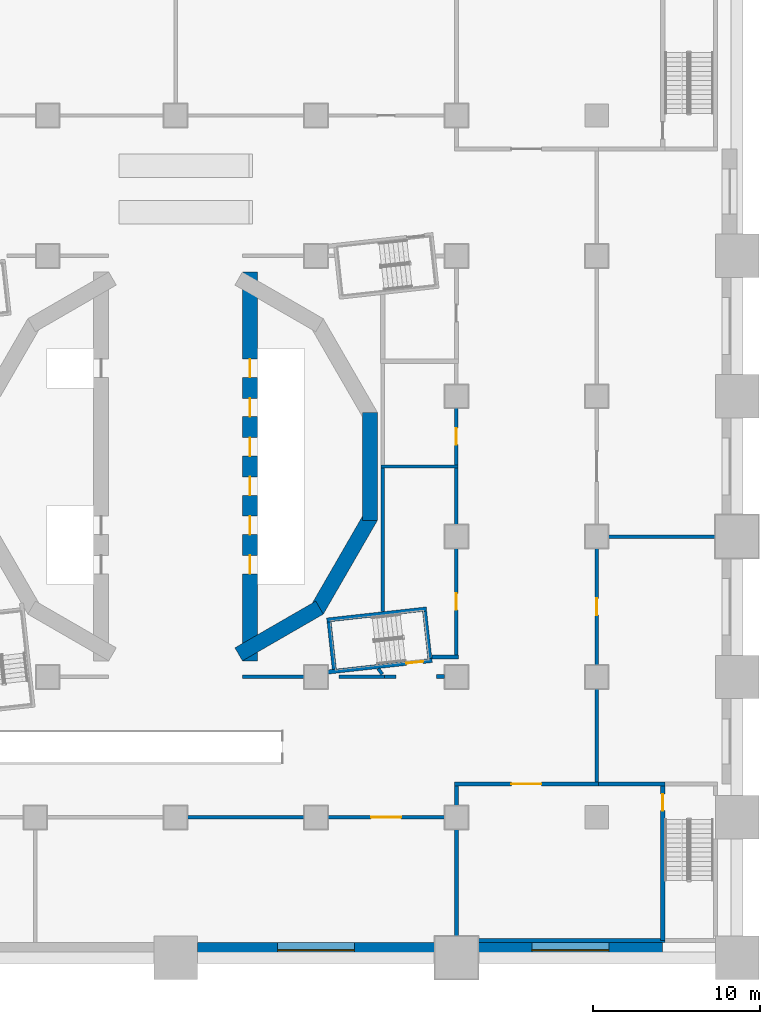
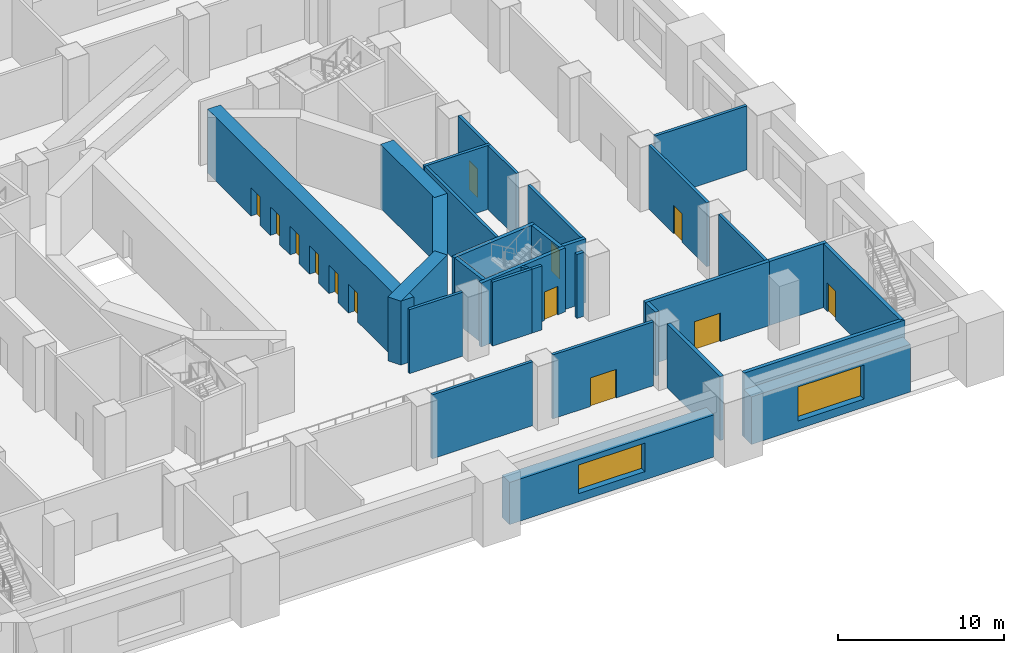
# One storey, part 3 of 19: 32 walls, 13 doors, 2 windows, 15 openings.
"""IFC4 building model written with IfcOpenShell, lengths in metres."""

from ifc_helpers import new_model, si_unit, direction, frame, frame_2d, origin, place, context, subcontext, project, spatial, rectangle, extrude, material, layer, layer_set, type_object, element, fill, save


model = new_model("IFC4")

# Units and contexts
model_context = context("Model", 3, precision=1e-05, world=origin(), true_north=direction((0.0, 1.0)))
body_context = subcontext(model_context, "Body", "Model", "MODEL_VIEW")
ifc_project = project(units=[si_unit("LENGTHUNIT", "METRE"), si_unit("AREAUNIT", "SQUARE_METRE"), si_unit("VOLUMEUNIT", "CUBIC_METRE"), si_unit("PLANEANGLEUNIT", "RADIAN"), si_unit("MASSUNIT", "GRAM", prefix="KILO")], contexts=[model_context])

# Site, building, storey
site_placement = place(None, origin())
site = spatial("IfcSite", under=ifc_project, at=site_placement, CompositionType="ELEMENT")
building_placement = place(site_placement, origin())
building = spatial("IfcBuilding", under=site, at=building_placement, Name="Cantera Rosa Tower", CompositionType="ELEMENT")
storey_placement = place(building_placement, frame((0.0, 0.0, 12.0)))
storey = spatial("IfcBuildingStorey", under=building, at=storey_placement, Name="L01", CompositionType="ELEMENT", Elevation=12.0)

# Walls
ifc_material_1 = material(Name="Masonry blockwork", Category="masonry")
ifc_layer_1 = layer(ifc_material_1, 0.199951171875)
ifc_layer_set_1 = layer_set([ifc_layer_1], Name="Blockwork partition 200")
wall_type_1 = type_object("IfcWallType", Name="Blockwork partition 200", PredefinedType="PARTITIONING", material=ifc_layer_set_1)
wall_1_placement = place(storey_placement, frame((4.0, -12.57666015625, 0.0), z_axis=(0.0, 0.0, 1.0), x_axis=(1.0, 0.0, 0.0)))
element("IfcWall", 1, at=wall_1_placement, inside=storey, type_object=wall_type_1, Name="Partition L01-3", PredefinedType="PARTITIONING", context=body_context, shape_type="SweptSolid", body=[
    extrude(rectangle(XDim=3.699951171875, YDim=0.199951171875, at=frame_2d((1.85009765625, 0.0))), origin(), (0.0, 0.0, 1.0), 4.699951171875),
])
wall_2_placement = place(storey_placement, frame((9.768798828125, -12.57666015625, 0.0), z_axis=(0.0, 0.0, 1.0), x_axis=(1.0, 0.0, 0.0)))
element("IfcWall", 2, at=wall_2_placement, inside=storey, type_object=wall_type_1, Name="Partition L01-4", PredefinedType="PARTITIONING", context=body_context, shape_type="SweptSolid", body=[
    extrude(rectangle(XDim=2.731201171875, YDim=0.199951171875, at=frame_2d((1.36572265625, 0.0))), origin(), (0.0, 0.0, 1.0), 4.699951171875),
])
wall_3_placement = place(storey_placement, frame((12.5, -12.57666015625, 0.0), z_axis=(0.0, 0.0, 1.0), x_axis=(1.0, 0.0, 0.0)))
element("IfcWall", 3, at=wall_3_placement, inside=storey, type_object=wall_type_1, Name="Partition L01-5", PredefinedType="PARTITIONING", context=body_context, shape_type="SweptSolid", body=[
    extrude(rectangle(XDim=0.69873046875, YDim=0.199951171875, at=frame_2d((0.349365234375, 0.0))), origin(), (0.0, 0.0, 1.0), 4.699951171875),
])
wall_4_placement = place(storey_placement, frame((12.36474609375, -12.427978515625, 0.0), z_axis=(0.0, 0.0, 1.0), x_axis=(-0.586657106045, 0.809835440029, 0.0)))
element("IfcWall", 4, at=wall_4_placement, inside=storey, type_object=wall_type_1, Name="Partition L01-17", PredefinedType="PARTITIONING", context=body_context, shape_type="SweptSolid", body=[
    extrude(rectangle(XDim=0.412353515625, YDim=0.199951171875, at=frame_2d((0.2060546875, 0.0))), origin(), (0.0, 0.0, 1.0), 4.699951171875),
])
wall_5_placement = place(storey_placement, frame((12.39990234375, -8.6923828125, 0.0), z_axis=(0.0, 0.0, 1.0), x_axis=(0.0, 1.0, 0.0)))
element("IfcWall", 5, at=wall_5_placement, inside=storey, type_object=wall_type_1, Name="Partition L01-18", PredefinedType="PARTITIONING", context=body_context, shape_type="SweptSolid", body=[
    extrude(rectangle(XDim=8.59228515625, YDim=0.199951171875, at=frame_2d((4.296142578125, 0.0))), origin(), (0.0, 0.0, 1.0), 4.699951171875),
])
wall_6_placement = place(storey_placement, frame((12.300048828125, 0.0, 0.0), z_axis=(0.0, 0.0, 1.0), x_axis=(1.0, 0.0, 0.0)))
element("IfcWall", 6, at=wall_6_placement, inside=storey, type_object=wall_type_1, Name="Partition L01-21", PredefinedType="PARTITIONING", context=body_context, shape_type="SweptSolid", body=[
    extrude(rectangle(XDim=4.599853515625, YDim=0.199951171875, at=frame_2d((2.2998046875, 0.0))), origin(), (0.0, 0.0, 1.0), 4.699951171875),
])

# Wall, opening, door
wall_7_placement = place(storey_placement, frame((16.800048828125, -11.27490234375, 0.0), z_axis=(0.0, 0.0, 1.0), x_axis=(0.0, 1.0, 0.0)))
wall_7 = element("IfcWall", 7, at=wall_7_placement, inside=storey, type_object=wall_type_1, Name="Partition L01-24", PredefinedType="PARTITIONING", context=body_context, shape_type="SweptSolid", body=[
    extrude(rectangle(XDim=6.375, YDim=0.199951171875, at=frame_2d((3.1875, 0.0))), origin(), (0.0, 0.0, 1.0), 4.699951171875),
])
opening_1_placement = place(wall_7_placement, frame((2.6875, 0.0, 0.0)))
opening_1 = element("IfcOpeningElement", 8, at=opening_1_placement, cuts=wall_7, Name="Opening L01-009", PredefinedType="OPENING", context=body_context, shape_type="SweptSolid", body=[
    extrude(rectangle(XDim=1.0, YDim=2.10009765625, at=frame_2d((0.5, 1.050048828125))), frame((0.0, 0.10986328125, 0.0), z_axis=(0.0, -1.0, 0.0), x_axis=(1.0, 0.0, 0.0)), (0.0, 0.0, 1.0), 0.219970703125),
])
ifc_material_2 = material(Name="Timber", Category="wood")
door_type_1 = type_object("IfcDoorType", Name="Door 1000x2100", OperationType="NOTDEFINED", PredefinedType="DOOR", material=ifc_material_2)
door_1_placement = place(opening_1_placement, origin())
door_1 = element("IfcDoor", 9, at=door_1_placement, inside=storey, type_object=door_type_1, Name="Door L01-009", OverallHeight=2.10009765625, OverallWidth=1.0, PredefinedType="DOOR", context=body_context, shape_type="SweptSolid", body=[
    extrude(rectangle(XDim=1.0, YDim=2.10009765625, at=frame_2d((0.5, 1.050048828125))), frame((0.0, 0.02490234375, 0.0), z_axis=(0.0, -1.0, 0.0), x_axis=(1.0, 0.0, 0.0)), (0.0, 0.0, 1.0), 0.050048828125),
])
fill(opening_1, door_1)

# Wall
wall_8_placement = place(storey_placement, frame((16.800048828125, -3.5, 0.0), z_axis=(0.0, 0.0, 1.0), x_axis=(0.0, 1.0, 0.0)))
element("IfcWall", 10, at=wall_8_placement, inside=storey, type_object=wall_type_1, Name="Partition L01-25", PredefinedType="PARTITIONING", context=body_context, shape_type="SweptSolid", body=[
    extrude(rectangle(XDim=3.39990234375, YDim=0.199951171875, at=frame_2d((1.699951171875, 0.0))), origin(), (0.0, 0.0, 1.0), 4.699951171875),
])

# Wall, opening, door
wall_9_placement = place(storey_placement, frame((16.800048828125, 0.10009765625, 0.0), z_axis=(0.0, 0.0, 1.0), x_axis=(0.0, 1.0, 0.0)))
wall_9 = element("IfcWall", 11, at=wall_9_placement, inside=storey, type_object=wall_type_1, Name="Partition L01-26", PredefinedType="PARTITIONING", context=body_context, shape_type="SweptSolid", body=[
    extrude(rectangle(XDim=3.39990234375, YDim=0.199951171875, at=frame_2d((1.699951171875, 0.0))), origin(), (0.0, 0.0, 1.0), 4.699951171875),
])
opening_2_placement = place(wall_9_placement, frame((1.199951171875, 0.0, 0.0)))
opening_2 = element("IfcOpeningElement", 12, at=opening_2_placement, cuts=wall_9, Name="Opening L01-010", PredefinedType="OPENING", context=body_context, shape_type="SweptSolid", body=[
    extrude(rectangle(XDim=1.0, YDim=2.10009765625, at=frame_2d((0.5, 1.050048828125))), frame((0.0, 0.10986328125, 0.0), z_axis=(0.0, -1.0, 0.0), x_axis=(1.0, 0.0, 0.0)), (0.0, 0.0, 1.0), 0.219970703125),
])
door_2_placement = place(opening_2_placement, origin())
door_2 = element("IfcDoor", 13, at=door_2_placement, inside=storey, type_object=door_type_1, Name="Door L01-010", OverallHeight=2.10009765625, OverallWidth=1.0, PredefinedType="DOOR", context=body_context, shape_type="SweptSolid", body=[
    extrude(rectangle(XDim=1.0, YDim=2.10009765625, at=frame_2d((0.5, 1.050048828125))), frame((0.0, 0.02490234375, 0.0), z_axis=(0.0, -1.0, 0.0), x_axis=(1.0, 0.0, 0.0)), (0.0, 0.0, 1.0), 0.050048828125),
])
fill(opening_2, door_2)

# Wall
wall_10_placement = place(storey_placement, frame((0.699951171875, -21.0, 0.0), z_axis=(0.0, 0.0, 1.0), x_axis=(1.0, 0.0, 0.0)))
element("IfcWall", 14, at=wall_10_placement, inside=storey, type_object=wall_type_1, Name="Partition L01-83", PredefinedType="PARTITIONING", context=body_context, shape_type="SweptSolid", body=[
    extrude(rectangle(XDim=7.0, YDim=0.199951171875, at=frame_2d((3.5, 0.0))), origin(), (0.0, 0.0, 1.0), 4.699951171875),
])

# Wall, opening, door
wall_11_placement = place(storey_placement, frame((9.10009765625, -21.0, 0.0), z_axis=(0.0, 0.0, 1.0), x_axis=(1.0, 0.0, 0.0)))
wall_11 = element("IfcWall", 15, at=wall_11_placement, inside=storey, type_object=wall_type_1, Name="Partition L01-84", PredefinedType="PARTITIONING", context=body_context, shape_type="SweptSolid", body=[
    extrude(rectangle(XDim=7.0, YDim=0.199951171875, at=frame_2d((3.5, 0.0))), origin(), (0.0, 0.0, 1.0), 4.699951171875),
])
opening_3_placement = place(wall_11_placement, frame((2.60009765625, 0.0, 0.0)))
opening_3 = element("IfcOpeningElement", 16, at=opening_3_placement, cuts=wall_11, Name="Opening L01-004", PredefinedType="OPENING", context=body_context, shape_type="SweptSolid", body=[
    extrude(rectangle(XDim=1.800048828125, YDim=2.10009765625, at=frame_2d((0.89990234375, 1.050048828125))), frame((0.0, 0.10986328125, 0.0), z_axis=(0.0, -1.0, 0.0), x_axis=(1.0, 0.0, 0.0)), (0.0, 0.0, 1.0), 0.219970703125),
])
ifc_material_3 = material(Name="Timber", Category="wood")
door_type_2 = type_object("IfcDoorType", Name="Double door 1800x2100", OperationType="NOTDEFINED", PredefinedType="DOOR", material=ifc_material_3)
door_3_placement = place(opening_3_placement, origin())
door_3 = element("IfcDoor", 17, at=door_3_placement, inside=storey, type_object=door_type_2, Name="Door L01-004", OperationType="DOUBLE_DOOR_SINGLE_SWING", OverallHeight=2.10009765625, OverallWidth=1.800048828125, PredefinedType="DOOR", context=body_context, shape_type="SweptSolid", body=[
    extrude(rectangle(XDim=1.800048828125, YDim=2.10009765625, at=frame_2d((0.89990234375, 1.050048828125))), frame((0.0, 0.02490234375, 0.0), z_axis=(0.0, -1.0, 0.0), x_axis=(1.0, 0.0, 0.0)), (0.0, 0.0, 1.0), 0.050048828125),
])
fill(opening_3, door_3)

# Walls
wall_12_placement = place(storey_placement, frame((25.89990234375, -4.199951171875, 0.0), z_axis=(0.0, 0.0, 1.0), x_axis=(1.0, 0.0, 0.0)))
element("IfcWall", 18, at=wall_12_placement, inside=storey, type_object=wall_type_1, Name="Partition L01-85", PredefinedType="PARTITIONING", context=body_context, shape_type="SweptSolid", body=[
    extrude(rectangle(XDim=6.400146484375, YDim=0.199951171875, at=frame_2d((3.2001953125, 0.0))), origin(), (0.0, 0.0, 1.0), 4.699951171875),
])
wall_13_placement = place(storey_placement, frame((25.199951171875, -18.875, 0.0), z_axis=(0.0, 0.0, 1.0), x_axis=(0.0, 1.0, 0.0)))
element("IfcWall", 19, at=wall_13_placement, inside=storey, type_object=wall_type_1, Name="Partition L01-86", PredefinedType="PARTITIONING", context=body_context, shape_type="SweptSolid", body=[
    extrude(rectangle(XDim=5.574951171875, YDim=0.199951171875, at=frame_2d((2.78759765625, 0.0))), origin(), (0.0, 0.0, 1.0), 4.699951171875),
])

# Wall, opening, door
wall_14_placement = place(storey_placement, frame((25.199951171875, -11.89990234375, 0.0), z_axis=(0.0, 0.0, 1.0), x_axis=(0.0, 1.0, 0.0)))
wall_14 = element("IfcWall", 20, at=wall_14_placement, inside=storey, type_object=wall_type_1, Name="Partition L01-87", PredefinedType="PARTITIONING", context=body_context, shape_type="SweptSolid", body=[
    extrude(rectangle(XDim=7.0, YDim=0.199951171875, at=frame_2d((3.5, 0.0))), origin(), (0.0, 0.0, 1.0), 4.699951171875),
])
opening_4_placement = place(wall_14_placement, frame((3.0, 0.0, 0.0)))
opening_4 = element("IfcOpeningElement", 21, at=opening_4_placement, cuts=wall_14, Name="Opening L01-005", PredefinedType="OPENING", context=body_context, shape_type="SweptSolid", body=[
    extrude(rectangle(XDim=1.0, YDim=2.10009765625, at=frame_2d((0.5, 1.050048828125))), frame((0.0, 0.10986328125, 0.0), z_axis=(0.0, -1.0, 0.0), x_axis=(1.0, 0.0, 0.0)), (0.0, 0.0, 1.0), 0.219970703125),
])
door_4_placement = place(opening_4_placement, origin())
door_4 = element("IfcDoor", 22, at=door_4_placement, inside=storey, type_object=door_type_1, Name="Door L01-005", OverallHeight=2.10009765625, OverallWidth=1.0, PredefinedType="DOOR", context=body_context, shape_type="SweptSolid", body=[
    extrude(rectangle(XDim=1.0, YDim=2.10009765625, at=frame_2d((0.5, 1.050048828125))), frame((0.0, 0.02490234375, 0.0), z_axis=(0.0, -1.0, 0.0), x_axis=(1.0, 0.0, 0.0)), (0.0, 0.0, 1.0), 0.050048828125),
])
fill(opening_4, door_4)

# Walls
ifc_material_4 = material(Name="Concrete C70/85", Category="concrete")
ifc_layer_2 = layer(ifc_material_4, 0.89990234375)
ifc_layer_set_2 = layer_set([ifc_layer_2], Name="Drum wall 900")
wall_type_2 = type_object("IfcWallType", Name="Drum wall 900", PredefinedType="SHEAR", material=ifc_layer_set_2)
wall_15_placement = place(storey_placement, frame((11.6240234375, 3.2353515625, 0.0), z_axis=(0.0, 0.0, 1.0), x_axis=(0.0, -1.0, 0.0)))
element("IfcWall", 23, at=wall_15_placement, inside=storey, type_object=wall_type_2, Name="Drum wall east 3 L01", PredefinedType="SHEAR", context=body_context, shape_type="SweptSolid", body=[
    extrude(rectangle(XDim=6.470703125, YDim=0.89990234375, at=frame_2d((3.2353515625, 0.0))), origin(), (0.0, 0.0, 1.0), 4.699951171875),
])
wall_16_placement = place(storey_placement, frame((11.684326171875, -3.01025390625, 0.0), z_axis=(0.0, 0.0, 1.0), x_axis=(-0.499990282633, -0.866031014036, 0.0)))
element("IfcWall", 24, at=wall_16_placement, inside=storey, type_object=wall_type_2, Name="Drum wall east 4 L01", PredefinedType="SHEAR", context=body_context, shape_type="SweptSolid", body=[
    extrude(rectangle(XDim=6.470458984375, YDim=0.89990234375, at=frame_2d((3.2353515625, 0.0))), origin(), (0.0, 0.0, 1.0), 4.699951171875),
])
wall_17_placement = place(storey_placement, frame((8.61376953125, -8.44921875, 0.0), z_axis=(0.0, 0.0, 1.0), x_axis=(-0.866026961591, -0.49999730179, 0.0)))
element("IfcWall", 25, at=wall_17_placement, inside=storey, type_object=wall_type_2, Name="Drum wall east 5 L01", PredefinedType="SHEAR", context=body_context, shape_type="SweptSolid", body=[
    extrude(rectangle(XDim=5.58740234375, YDim=0.89990234375, at=frame_2d((2.793701171875, 0.0))), origin(), (0.0, 0.0, 1.0), 4.699951171875),
])

# Wall, openings, doors
wall_18_placement = place(storey_placement, frame((4.449951171875, -11.632568359375, 0.0), z_axis=(0.0, 0.0, 1.0), x_axis=(0.0, 1.0, 0.0)))
wall_18 = element("IfcWall", 26, at=wall_18_placement, inside=storey, type_object=wall_type_2, Name="Drum wall east 6 L01", PredefinedType="SHEAR", context=body_context, shape_type="SweptSolid", body=[
    extrude(rectangle(XDim=23.26513671875, YDim=0.89990234375, at=frame_2d((11.632568359375, 0.0))), origin(), (0.0, 0.0, 1.0), 4.699951171875),
])
opening_5_placement = place(wall_18_placement, frame((7.5576171875, 0.0, 0.0)))
opening_5 = element("IfcOpeningElement", 27, at=opening_5_placement, cuts=wall_18, Name="Opening LD-FF1-L01", PredefinedType="OPENING", context=body_context, shape_type="SweptSolid", body=[
    extrude(rectangle(XDim=1.10009765625, YDim=2.10009765625, at=frame_2d((0.550048828125, 1.050048828125))), frame((0.0, 0.4599609375, 0.0), z_axis=(0.0, -1.0, 0.0), x_axis=(1.0, 0.0, 0.0)), (0.0, 0.0, 1.0), 0.919921875),
])
opening_6_placement = place(wall_18_placement, frame((9.907470703125, 0.0, 0.0)))
opening_6 = element("IfcOpeningElement", 28, at=opening_6_placement, cuts=wall_18, Name="Opening LD-FF2-L01", PredefinedType="OPENING", context=body_context, shape_type="SweptSolid", body=[
    extrude(rectangle(XDim=1.10009765625, YDim=2.10009765625, at=frame_2d((0.550048828125, 1.050048828125))), frame((0.0, 0.4599609375, 0.0), z_axis=(0.0, -1.0, 0.0), x_axis=(1.0, 0.0, 0.0)), (0.0, 0.0, 1.0), 0.919921875),
])
opening_7_placement = place(wall_18_placement, frame((12.257568359375, 0.0, 0.0)))
opening_7 = element("IfcOpeningElement", 29, at=opening_7_placement, cuts=wall_18, Name="Opening LD-P1-L01", PredefinedType="OPENING", context=body_context, shape_type="SweptSolid", body=[
    extrude(rectangle(XDim=1.10009765625, YDim=2.10009765625, at=frame_2d((0.550048828125, 1.050048828125))), frame((0.0, 0.4599609375, 0.0), z_axis=(0.0, -1.0, 0.0), x_axis=(1.0, 0.0, 0.0)), (0.0, 0.0, 1.0), 0.919921875),
])
opening_8_placement = place(wall_18_placement, frame((14.607421875, 0.0, 0.0)))
opening_8 = element("IfcOpeningElement", 30, at=opening_8_placement, cuts=wall_18, Name="Opening LD-P2-L01", PredefinedType="OPENING", context=body_context, shape_type="SweptSolid", body=[
    extrude(rectangle(XDim=1.10009765625, YDim=2.10009765625, at=frame_2d((0.550048828125, 1.050048828125))), frame((0.0, 0.4599609375, 0.0), z_axis=(0.0, -1.0, 0.0), x_axis=(1.0, 0.0, 0.0)), (0.0, 0.0, 1.0), 0.919921875),
])
opening_9_placement = place(wall_18_placement, frame((5.20751953125, 0.0, 0.0)))
opening_9 = element("IfcOpeningElement", 31, at=opening_9_placement, cuts=wall_18, Name="Opening LD-P6-L01", PredefinedType="OPENING", context=body_context, shape_type="SweptSolid", body=[
    extrude(rectangle(XDim=1.10009765625, YDim=2.10009765625, at=frame_2d((0.550048828125, 1.050048828125))), frame((0.0, 0.4599609375, 0.0), z_axis=(0.0, -1.0, 0.0), x_axis=(1.0, 0.0, 0.0)), (0.0, 0.0, 1.0), 0.919921875),
])
opening_10_placement = place(wall_18_placement, frame((16.95751953125, 0.0, 0.0)))
opening_10 = element("IfcOpeningElement", 32, at=opening_10_placement, cuts=wall_18, Name="Opening LD-PC1-L01", PredefinedType="OPENING", context=body_context, shape_type="SweptSolid", body=[
    extrude(rectangle(XDim=1.10009765625, YDim=2.10009765625, at=frame_2d((0.550048828125, 1.050048828125))), frame((0.0, 0.4599609375, 0.0), z_axis=(0.0, -1.0, 0.0), x_axis=(1.0, 0.0, 0.0)), (0.0, 0.0, 1.0), 0.919921875),
])
ifc_material_5 = material(Name="Steel S355J2 (EN 10025-2)", Category="steel")
door_type_3 = type_object("IfcDoorType", Name="LANDING DOOR 1100x2100", OperationType="NOTDEFINED", PredefinedType="DOOR", material=ifc_material_5)
door_5_placement = place(opening_5_placement, origin())
door_5 = element("IfcDoor", 33, at=door_5_placement, inside=storey, type_object=door_type_3, Name="LANDING DOOR FF1 L01", OperationType="SLIDING_TO_LEFT", OverallHeight=2.10009765625, OverallWidth=1.10009765625, PredefinedType="DOOR", context=body_context, shape_type="SweptSolid", body=[
    extrude(rectangle(XDim=1.10009765625, YDim=2.10009765625, at=frame_2d((0.550048828125, 1.050048828125))), frame((0.0, 0.02490234375, 0.0), z_axis=(0.0, -1.0, 0.0), x_axis=(1.0, 0.0, 0.0)), (0.0, 0.0, 1.0), 0.050048828125),
])
fill(opening_5, door_5)
door_6_placement = place(opening_6_placement, origin())
door_6 = element("IfcDoor", 34, at=door_6_placement, inside=storey, type_object=door_type_3, Name="LANDING DOOR FF2 L01", OperationType="SLIDING_TO_LEFT", OverallHeight=2.10009765625, OverallWidth=1.10009765625, PredefinedType="DOOR", context=body_context, shape_type="SweptSolid", body=[
    extrude(rectangle(XDim=1.10009765625, YDim=2.10009765625, at=frame_2d((0.550048828125, 1.050048828125))), frame((0.0, 0.02490234375, 0.0), z_axis=(0.0, -1.0, 0.0), x_axis=(1.0, 0.0, 0.0)), (0.0, 0.0, 1.0), 0.050048828125),
])
fill(opening_6, door_6)
door_7_placement = place(opening_7_placement, origin())
door_7 = element("IfcDoor", 35, at=door_7_placement, inside=storey, type_object=door_type_3, Name="LANDING DOOR P1 L01", OperationType="SLIDING_TO_LEFT", OverallHeight=2.10009765625, OverallWidth=1.10009765625, PredefinedType="DOOR", context=body_context, shape_type="SweptSolid", body=[
    extrude(rectangle(XDim=1.10009765625, YDim=2.10009765625, at=frame_2d((0.550048828125, 1.050048828125))), frame((0.0, 0.02490234375, 0.0), z_axis=(0.0, -1.0, 0.0), x_axis=(1.0, 0.0, 0.0)), (0.0, 0.0, 1.0), 0.050048828125),
])
fill(opening_7, door_7)
door_8_placement = place(opening_8_placement, origin())
door_8 = element("IfcDoor", 36, at=door_8_placement, inside=storey, type_object=door_type_3, Name="LANDING DOOR P2 L01", OperationType="SLIDING_TO_LEFT", OverallHeight=2.10009765625, OverallWidth=1.10009765625, PredefinedType="DOOR", context=body_context, shape_type="SweptSolid", body=[
    extrude(rectangle(XDim=1.10009765625, YDim=2.10009765625, at=frame_2d((0.550048828125, 1.050048828125))), frame((0.0, 0.02490234375, 0.0), z_axis=(0.0, -1.0, 0.0), x_axis=(1.0, 0.0, 0.0)), (0.0, 0.0, 1.0), 0.050048828125),
])
fill(opening_8, door_8)
door_9_placement = place(opening_9_placement, origin())
door_9 = element("IfcDoor", 37, at=door_9_placement, inside=storey, type_object=door_type_3, Name="LANDING DOOR P6 L01", OperationType="SLIDING_TO_LEFT", OverallHeight=2.10009765625, OverallWidth=1.10009765625, PredefinedType="DOOR", context=body_context, shape_type="SweptSolid", body=[
    extrude(rectangle(XDim=1.10009765625, YDim=2.10009765625, at=frame_2d((0.550048828125, 1.050048828125))), frame((0.0, 0.02490234375, 0.0), z_axis=(0.0, -1.0, 0.0), x_axis=(1.0, 0.0, 0.0)), (0.0, 0.0, 1.0), 0.050048828125),
])
fill(opening_9, door_9)
door_10_placement = place(opening_10_placement, origin())
door_10 = element("IfcDoor", 38, at=door_10_placement, inside=storey, type_object=door_type_3, Name="LANDING DOOR PC1 L01", OperationType="SLIDING_TO_LEFT", OverallHeight=2.10009765625, OverallWidth=1.10009765625, PredefinedType="DOOR", context=body_context, shape_type="SweptSolid", body=[
    extrude(rectangle(XDim=1.10009765625, YDim=2.10009765625, at=frame_2d((0.550048828125, 1.050048828125))), frame((0.0, 0.02490234375, 0.0), z_axis=(0.0, -1.0, 0.0), x_axis=(1.0, 0.0, 0.0)), (0.0, 0.0, 1.0), 0.050048828125),
])
fill(opening_10, door_10)

# Walls
ifc_material_6 = material(Name="Masonry blockwork", Category="masonry")
ifc_layer_3 = layer(ifc_material_6, 0.25)
ifc_layer_set_3 = layer_set([ifc_layer_3], Name="Fire-rated external wall 250")
wall_type_3 = type_object("IfcWallType", Name="Fire-rated external wall 250", PredefinedType="PARTITIONING", material=ifc_layer_set_3)
wall_19_placement = place(storey_placement, frame((18.10009765625, -28.375, 0.0), z_axis=(0.0, 0.0, 1.0), x_axis=(1.0, 0.0, 0.0)))
element("IfcWall", 39, at=wall_19_placement, inside=storey, type_object=wall_type_3, Name="Fire wall L01-73", PredefinedType="PARTITIONING", context=body_context, shape_type="SweptSolid", body=[
    extrude(rectangle(XDim=11.1748046875, YDim=0.25, at=frame_2d((5.58740234375, 0.0))), origin(), (0.0, 0.0, 1.0), 4.699951171875),
])
ifc_material_7 = material(Name="Masonry blockwork", Category="masonry")
ifc_layer_4 = layer(ifc_material_7, 0.25)
ifc_layer_set_4 = layer_set([ifc_layer_4], Name="Fire-rated wall 250")
wall_type_4 = type_object("IfcWallType", Name="Fire-rated wall 250", PredefinedType="PARTITIONING", material=ifc_layer_set_4)
wall_20_placement = place(storey_placement, frame((15.613525390625, -12.57666015625, 0.0), z_axis=(0.0, 0.0, 1.0), x_axis=(1.0, 0.0, 0.0)))
element("IfcWall", 40, at=wall_20_placement, inside=storey, type_object=wall_type_4, Name="Fire wall L01-6", PredefinedType="PARTITIONING", context=body_context, shape_type="SweptSolid", body=[
    extrude(rectangle(XDim=0.486572265625, YDim=0.25, at=frame_2d((0.2431640625, 0.0))), origin(), (0.0, 0.0, 1.0), 4.699951171875),
])
wall_21_placement = place(storey_placement, frame((16.800048828125, -28.10009765625, 0.0), z_axis=(0.0, 0.0, 1.0), x_axis=(0.0, 1.0, 0.0)))
element("IfcWall", 41, at=wall_21_placement, inside=storey, type_object=wall_type_4, Name="Fire wall L01-22", PredefinedType="PARTITIONING", context=body_context, shape_type="SweptSolid", body=[
    extrude(rectangle(XDim=6.400146484375, YDim=0.25, at=frame_2d((3.2001953125, 0.0))), origin(), (0.0, 0.0, 1.0), 4.699951171875),
])
wall_22_placement = place(storey_placement, frame((16.800048828125, -20.300048828125, 0.0), z_axis=(0.0, 0.0, 1.0), x_axis=(0.0, 1.0, 0.0)))
element("IfcWall", 42, at=wall_22_placement, inside=storey, type_object=wall_type_4, Name="Fire wall L01-23", PredefinedType="PARTITIONING", context=body_context, shape_type="SweptSolid", body=[
    extrude(rectangle(XDim=1.175048828125, YDim=0.25, at=frame_2d((0.58740234375, 0.0))), origin(), (0.0, 0.0, 1.0), 4.699951171875),
])
wall_23_placement = place(storey_placement, frame((15.329345703125, -11.39990234375, 0.0), z_axis=(0.0, 0.0, 1.0), x_axis=(1.0, 0.0, 0.0)))
element("IfcWall", 43, at=wall_23_placement, inside=storey, type_object=wall_type_4, Name="Fire wall L01-31", PredefinedType="PARTITIONING", context=body_context, shape_type="SweptSolid", body=[
    extrude(rectangle(XDim=1.595703125, YDim=0.25, at=frame_2d((0.7978515625, 0.0))), origin(), (0.0, 0.0, 1.0), 4.699951171875),
])

# Wall, opening, door
wall_24_placement = place(storey_placement, frame((16.675048828125, -19.0, 0.0), z_axis=(0.0, 0.0, 1.0), x_axis=(1.0, 0.0, 0.0)))
wall_24 = element("IfcWall", 44, at=wall_24_placement, inside=storey, type_object=wall_type_4, Name="Fire wall L01-68", PredefinedType="PARTITIONING", context=body_context, shape_type="SweptSolid", body=[
    extrude(rectangle(XDim=8.625, YDim=0.25, at=frame_2d((4.3125, 0.0))), origin(), (0.0, 0.0, 1.0), 4.699951171875),
])
opening_11_placement = place(wall_24_placement, frame((3.41259765625, 0.0, 0.0)))
opening_11 = element("IfcOpeningElement", 45, at=opening_11_placement, cuts=wall_24, Name="Opening L01-019", PredefinedType="OPENING", context=body_context, shape_type="SweptSolid", body=[
    extrude(rectangle(XDim=1.800048828125, YDim=2.10009765625, at=frame_2d((0.89990234375, 1.050048828125))), frame((0.0, 0.135009765625, 0.0), z_axis=(0.0, -1.0, 0.0), x_axis=(1.0, 0.0, 0.0)), (0.0, 0.0, 1.0), 0.27001953125),
])
ifc_material_8 = material(Name="Steel S355J2 (EN 10025-2)", Category="steel")
door_type_4 = type_object("IfcDoorType", Name="Fire double door 1800x2100", OperationType="NOTDEFINED", PredefinedType="DOOR", material=ifc_material_8)
door_11_placement = place(opening_11_placement, origin())
door_11 = element("IfcDoor", 46, at=door_11_placement, inside=storey, type_object=door_type_4, Name="Door L01-019", OperationType="DOUBLE_DOOR_SINGLE_SWING", OverallHeight=2.10009765625, OverallWidth=1.800048828125, PredefinedType="DOOR", context=body_context, shape_type="SweptSolid", body=[
    extrude(rectangle(XDim=1.800048828125, YDim=2.10009765625, at=frame_2d((0.89990234375, 1.050048828125))), frame((0.0, 0.02490234375, 0.0), z_axis=(0.0, -1.0, 0.0), x_axis=(1.0, 0.0, 0.0)), (0.0, 0.0, 1.0), 0.050048828125),
])
fill(opening_11, door_11)

# Wall
wall_25_placement = place(storey_placement, frame((25.300048828125, -19.0, 0.0), z_axis=(0.0, 0.0, 1.0), x_axis=(1.0, 0.0, 0.0)))
element("IfcWall", 47, at=wall_25_placement, inside=storey, type_object=wall_type_4, Name="Fire wall L01-69", PredefinedType="PARTITIONING", context=body_context, shape_type="SweptSolid", body=[
    extrude(rectangle(XDim=3.974853515625, YDim=0.25, at=frame_2d((1.9873046875, 0.0))), origin(), (0.0, 0.0, 1.0), 4.699951171875),
])

# Wall, opening, door
ifc_material_9 = material(Name="Concrete C50/60", Category="concrete")
ifc_layer_5 = layer(ifc_material_9, 0.25)
ifc_layer_set_5 = layer_set([ifc_layer_5], Name="RC stair wall 250 C50/60")
wall_type_5 = type_object("IfcWallType", Name="RC stair wall 250", PredefinedType="SOLIDWALL", material=ifc_layer_set_5)
wall_26_placement = place(storey_placement, frame((29.14990234375, -28.375, 0.0), z_axis=(0.0, 0.0, 1.0), x_axis=(0.0, 1.0, 0.0)))
wall_26 = element("IfcWall", 48, at=wall_26_placement, inside=storey, type_object=wall_type_5, Name="Stair wall L01-51", PredefinedType="SOLIDWALL", context=body_context, shape_type="SweptSolid", body=[
    extrude(rectangle(XDim=9.25, YDim=0.25, at=frame_2d((4.625, 0.0))), origin(), (0.0, 0.0, 1.0), 4.699951171875),
])
opening_12_placement = place(wall_26_placement, frame((7.77490234375, 0.0, 0.0)))
opening_12 = element("IfcOpeningElement", 49, at=opening_12_placement, cuts=wall_26, Name="Opening L01-020", PredefinedType="OPENING", context=body_context, shape_type="SweptSolid", body=[
    extrude(rectangle(XDim=1.0, YDim=2.10009765625, at=frame_2d((0.5, 1.050048828125))), frame((0.0, 0.135009765625, 0.0), z_axis=(0.0, -1.0, 0.0), x_axis=(1.0, 0.0, 0.0)), (0.0, 0.0, 1.0), 0.27001953125),
])
ifc_material_10 = material(Name="Steel S355J2 (EN 10025-2)", Category="steel")
door_type_5 = type_object("IfcDoorType", Name="Fire door 1000x2100 EI 120", OperationType="NOTDEFINED", PredefinedType="DOOR", material=ifc_material_10)
door_12_placement = place(opening_12_placement, origin())
door_12 = element("IfcDoor", 50, at=door_12_placement, inside=storey, type_object=door_type_5, Name="Door L01-020", OverallHeight=2.10009765625, OverallWidth=1.0, PredefinedType="DOOR", context=body_context, shape_type="SweptSolid", body=[
    extrude(rectangle(XDim=1.0, YDim=2.10009765625, at=frame_2d((0.5, 1.050048828125))), frame((0.0, 0.02490234375, 0.0), z_axis=(0.0, -1.0, 0.0), x_axis=(1.0, 0.0, 0.0)), (0.0, 0.0, 1.0), 0.050048828125),
])
fill(opening_12, door_12)

# Wall
wall_27_placement = place(storey_placement, frame((14.900390625, -8.66650390625, 0.0), z_axis=(0.0, 0.0, 1.0), x_axis=(0.110243491536, -0.993904609394, 0.0)))
element("IfcWall", 51, at=wall_27_placement, inside=storey, type_object=wall_type_5, Name="Stair wall ST-14 L01-1", PredefinedType="SOLIDWALL", context=body_context, shape_type="SweptSolid", body=[
    extrude(rectangle(XDim=2.85009765625, YDim=0.25, at=frame_2d((1.425048828125, 0.0))), origin(), (0.0, 0.0, 1.0), 4.699951171875),
])

# Wall, opening, door
wall_28_placement = place(storey_placement, frame((15.352783203125, -11.609619140625, 0.0), z_axis=(0.0, 0.0, 1.0), x_axis=(-0.993897004728, -0.11031203014, 0.0)))
wall_28 = element("IfcWall", 52, at=wall_28_placement, inside=storey, type_object=wall_type_5, Name="Stair wall ST-14 L01-2", PredefinedType="SOLIDWALL", context=body_context, shape_type="SweptSolid", body=[
    extrude(rectangle(XDim=6.27880859375, YDim=0.25, at=frame_2d((3.139404296875, 0.0))), origin(), (0.0, 0.0, 1.0), 4.699951171875),
])
opening_13_placement = place(wall_28_placement, frame((0.550048828125, 0.0, 0.0)))
opening_13 = element("IfcOpeningElement", 53, at=opening_13_placement, cuts=wall_28, Name="Opening L01-ST-14", PredefinedType="OPENING", context=body_context, shape_type="SweptSolid", body=[
    extrude(rectangle(XDim=1.0, YDim=2.10009765625, at=frame_2d((0.5, 1.050048828125))), frame((0.0, 0.135009765625, 0.0), z_axis=(0.0, -1.0, 0.0), x_axis=(1.0, 0.0, 0.0)), (0.0, 0.0, 1.0), 0.27001953125),
])
door_13_placement = place(opening_13_placement, origin())
door_13 = element("IfcDoor", 54, at=door_13_placement, inside=storey, type_object=door_type_5, Name="Door L01-ST-14", OverallHeight=2.10009765625, OverallWidth=1.0, PredefinedType="DOOR", context=body_context, shape_type="SweptSolid", body=[
    extrude(rectangle(XDim=1.0, YDim=2.10009765625, at=frame_2d((0.5, 1.050048828125))), frame((0.0, 0.02490234375, 0.0), z_axis=(0.0, -1.0, 0.0), x_axis=(1.0, 0.0, 0.0)), (0.0, 0.0, 1.0), 0.050048828125),
])
fill(opening_13, door_13)

# Walls
wall_29_placement = place(storey_placement, frame((9.499755859375, -12.133544921875, 0.0), z_axis=(0.0, 0.0, 1.0), x_axis=(-0.110328108544, 0.993895220063, 0.0)))
element("IfcWall", 55, at=wall_29_placement, inside=storey, type_object=wall_type_5, Name="Stair wall ST-14 L01-3", PredefinedType="SOLIDWALL", context=body_context, shape_type="SweptSolid", body=[
    extrude(rectangle(XDim=2.85009765625, YDim=0.25, at=frame_2d((1.425048828125, 0.0))), origin(), (0.0, 0.0, 1.0), 4.699951171875),
])
wall_30_placement = place(storey_placement, frame((9.04736328125, -9.1904296875, 0.0), z_axis=(0.0, 0.0, 1.0), x_axis=(0.993897125329, 0.110310943534, 0.0)))
element("IfcWall", 56, at=wall_30_placement, inside=storey, type_object=wall_type_5, Name="Stair wall ST-14 L01-4", PredefinedType="SOLIDWALL", context=body_context, shape_type="SweptSolid", body=[
    extrude(rectangle(XDim=6.0, YDim=0.25, at=frame_2d((3.0, 0.0))), origin(), (0.0, 0.0, 1.0), 4.699951171875),
])

# Wall, opening, window
ifc_material_11 = material(Name="Concrete C40/50 with limestone facing", Category="masonry")
ifc_layer_6 = layer(ifc_material_11, 0.89990234375)
ifc_layer_set_6 = layer_set([ifc_layer_6], Name="Stone podium wall 900")
wall_type_6 = type_object("IfcWallType", Name="Stone podium wall 900", PredefinedType="SOLIDWALL", material=ifc_layer_set_6)
wall_31_placement = place(storey_placement, frame((29.14990234375, -28.949951171875, 0.0), z_axis=(0.0, 0.0, 1.0), x_axis=(-1.0, 0.0, 0.0)))
wall_31 = element("IfcWall", 57, at=wall_31_placement, inside=storey, type_object=wall_type_6, Name="Stone wall S L01-4", PredefinedType="SOLIDWALL", context=body_context, shape_type="SweptSolid", body=[
    extrude(rectangle(XDim=11.0498046875, YDim=0.89990234375, at=frame_2d((5.52490234375, 0.0))), origin(), (0.0, 0.0, 1.0), 3.5),
])
opening_14_placement = place(wall_31_placement, frame((3.22509765625, 0.0, 0.60009765625)))
opening_14 = element("IfcOpeningElement", 58, at=opening_14_placement, cuts=wall_31, Name="Opening L01-PWS4", PredefinedType="OPENING", context=body_context, shape_type="SweptSolid", body=[
    extrude(rectangle(XDim=4.60009765625, YDim=2.5, at=frame_2d((2.300048828125, 1.25))), frame((0.0, 0.4599609375, 0.0), z_axis=(0.0, -1.0, 0.0), x_axis=(1.0, 0.0, 0.0)), (0.0, 0.0, 1.0), 0.919921875),
])
ifc_material_12 = material(Name="Glass", Category="glass")
window_type_1 = type_object("IfcWindowType", Name="Podium window 4600x2500", PartitioningType="SINGLE_PANEL", PredefinedType="WINDOW", material=ifc_material_12)
window_1_placement = place(opening_14_placement, origin())
window_1 = element("IfcWindow", 59, at=window_1_placement, inside=storey, type_object=window_type_1, Name="Podium window L01-S4", OverallHeight=2.5, OverallWidth=4.60009765625, PartitioningType="SINGLE_PANEL", PredefinedType="WINDOW", context=body_context, shape_type="SweptSolid", body=[
    extrude(rectangle(XDim=4.60009765625, YDim=2.5, at=frame_2d((2.300048828125, 1.25))), frame((0.0, 0.030029296875, 0.0), z_axis=(0.0, -1.0, 0.0), x_axis=(1.0, 0.0, 0.0)), (0.0, 0.0, 1.0), 0.06005859375),
])
fill(opening_14, window_1)

ifc_material_13 = material(Name="Concrete C40/50 with limestone facing", Category="masonry")
ifc_layer_7 = layer(ifc_material_13, 0.89990234375)
ifc_layer_set_7 = layer_set([ifc_layer_7], Name="Stone podium wall 900 under deep girder")
wall_type_7 = type_object("IfcWallType", Name="Stone podium wall 900 under deep girder", PredefinedType="SOLIDWALL", material=ifc_layer_set_7)
wall_32_placement = place(storey_placement, frame((15.5, -28.949951171875, 0.0), z_axis=(0.0, 0.0, 1.0), x_axis=(-1.0, 0.0, 0.0)))
wall_32 = element("IfcWall", 60, at=wall_32_placement, inside=storey, type_object=wall_type_7, Name="Stone wall S L01-3", PredefinedType="SOLIDWALL", context=body_context, shape_type="SweptSolid", body=[
    extrude(rectangle(XDim=14.199951171875, YDim=0.89990234375, at=frame_2d((7.10009765625, 0.0))), origin(), (0.0, 0.0, 1.0), 3.10009765625),
])
opening_15_placement = place(wall_32_placement, frame((4.800048828125, 0.0, 0.60009765625)))
opening_15 = element("IfcOpeningElement", 61, at=opening_15_placement, cuts=wall_32, Name="Opening L01-PWS3", PredefinedType="OPENING", context=body_context, shape_type="SweptSolid", body=[
    extrude(rectangle(XDim=4.60009765625, YDim=2.10009765625, at=frame_2d((2.300048828125, 1.050048828125))), frame((0.0, 0.4599609375, 0.0), z_axis=(0.0, -1.0, 0.0), x_axis=(1.0, 0.0, 0.0)), (0.0, 0.0, 1.0), 0.919921875),
])
ifc_material_14 = material(Name="Glass", Category="glass")
window_type_2 = type_object("IfcWindowType", Name="Podium window 4600x2100", PartitioningType="SINGLE_PANEL", PredefinedType="WINDOW", material=ifc_material_14)
window_2_placement = place(opening_15_placement, origin())
window_2 = element("IfcWindow", 62, at=window_2_placement, inside=storey, type_object=window_type_2, Name="Podium window L01-S3", OverallHeight=2.10009765625, OverallWidth=4.60009765625, PartitioningType="SINGLE_PANEL", PredefinedType="WINDOW", context=body_context, shape_type="SweptSolid", body=[
    extrude(rectangle(XDim=4.60009765625, YDim=2.10009765625, at=frame_2d((2.300048828125, 1.050048828125))), frame((0.0, 0.030029296875, 0.0), z_axis=(0.0, -1.0, 0.0), x_axis=(1.0, 0.0, 0.0)), (0.0, 0.0, 1.0), 0.06005859375),
])
fill(opening_15, window_2)

save(model, "model.ifc")
